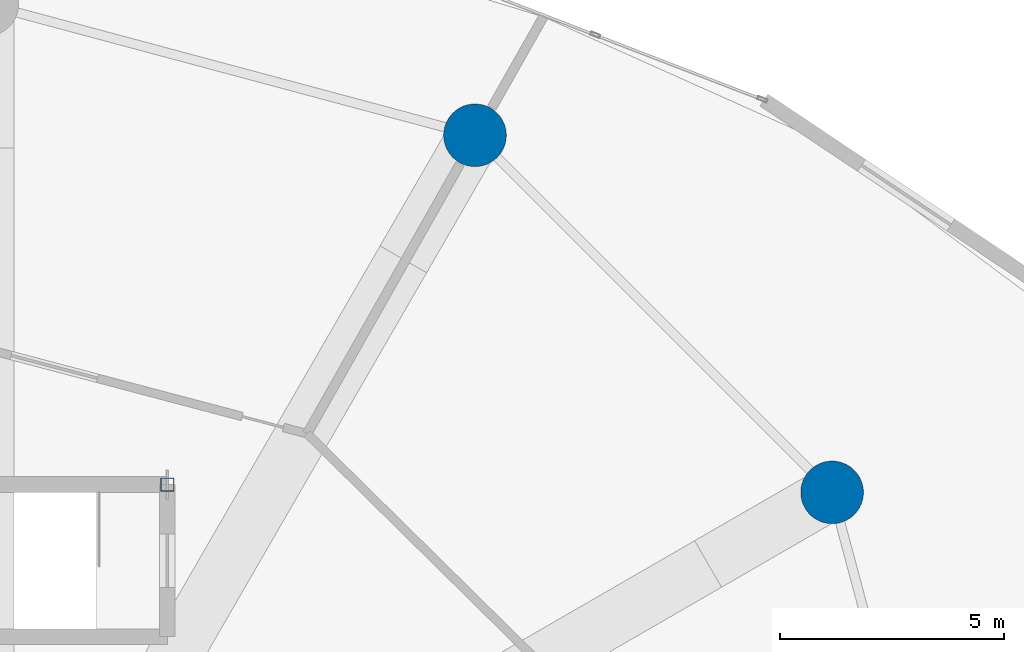
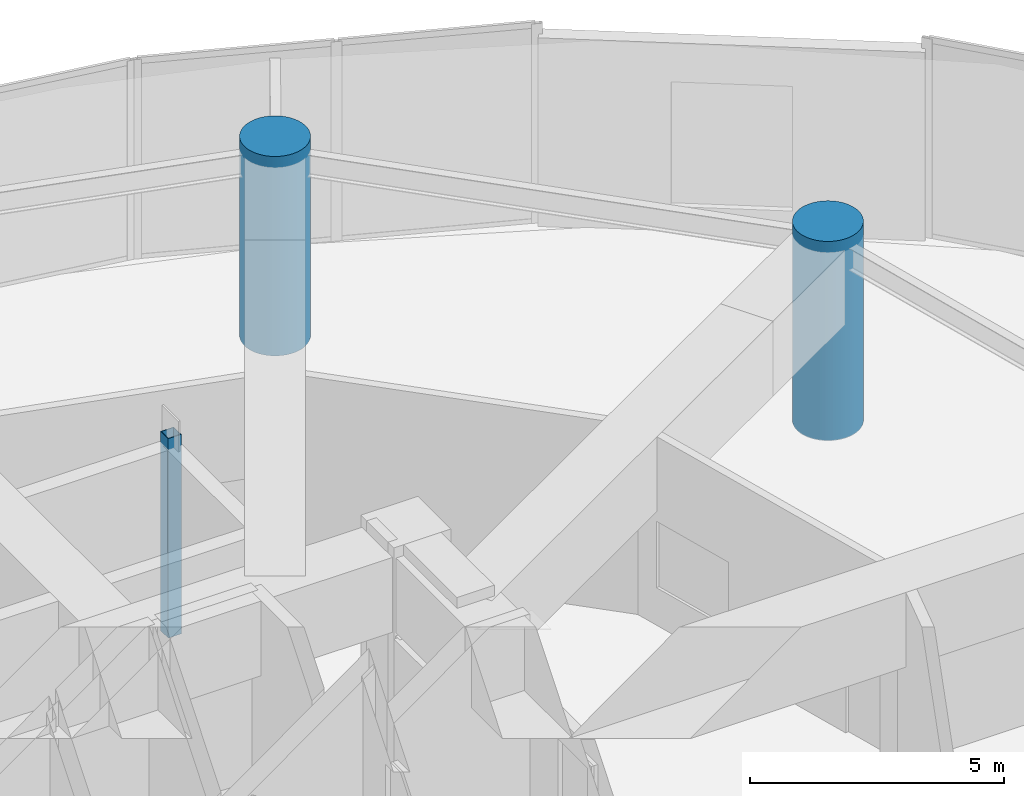
# One storey, part 3 of 27: 3 columns.
"""IFC4 building model written with IfcOpenShell, lengths in metres."""

from ifc_helpers import new_model, si_unit, direction, frame, origin, origin_2d, place, context, subcontext, project, spatial, hollow_rectangle, circle, extrude, material, material_profile, profile_set, type_object, element, save


model = new_model("IFC4")

# Units and contexts
model_context = context("Model", 3, precision=1e-05, world=origin(), true_north=direction((0.0, 1.0)))
body_context = subcontext(model_context, "Body", "Model", "MODEL_VIEW")
ifc_project = project(units=[si_unit("LENGTHUNIT", "METRE"), si_unit("AREAUNIT", "SQUARE_METRE"), si_unit("VOLUMEUNIT", "CUBIC_METRE"), si_unit("PLANEANGLEUNIT", "RADIAN"), si_unit("MASSUNIT", "GRAM", prefix="KILO")], contexts=[model_context])

# Site, building, storey
site_placement = place(None, origin())
site = spatial("IfcSite", under=ifc_project, at=site_placement, CompositionType="ELEMENT")
building_placement = place(site_placement, origin())
building = spatial("IfcBuilding", under=site, at=building_placement, Name="Solvirekh Grand Hotel", CompositionType="ELEMENT")
storey_placement = place(building_placement, frame((0.0, 0.0, 23.60009765625)))
storey = spatial("IfcBuildingStorey", under=building, at=storey_placement, Name="L04", CompositionType="ELEMENT", Elevation=23.60009765625)

# Columns
ifc_material_1 = material(Name="Concrete C60/75", Category="concrete")
ifc_material_profile_1 = material_profile(ifc_material_1, circle(Radius=0.699951171875, at=origin_2d()), Name="RC CIRC D1400")
ifc_profile_set_1 = profile_set([ifc_material_profile_1], Name="Concrete C60/75")
column_type_1 = type_object("IfcColumnType", Name="Col_Base_D1400", PredefinedType="COLUMN", material=ifc_profile_set_1)
for number, where, z_axis, x_axis, name in (
    (1, (18.87890625, 10.89990234375, 0.0), (0.0, 0.0, 1.0), (1.0, 0.0, 0.0), "L04 perimeter column P02"),
    (2, (10.89990234375, 18.87890625, 0.0), (0.0, 0.0, 1.0), (1.0, 0.0, 0.0), "L04 perimeter column P03"),
):
    element("IfcColumn", number, at=place(storey_placement, frame(where, z_axis=z_axis, x_axis=x_axis)), inside=storey, type_object=column_type_1, Name=name, PredefinedType="COLUMN", context=body_context, shape_type="SweptSolid", body=[
        extrude(circle(Radius=0.699951171875, at=origin_2d()), origin(), (0.0, 0.0, 1.0), 4.7998046875),
    ])
ifc_material_2 = material(Name="Steel S355", Category="steel")
ifc_material_profile_2 = material_profile(ifc_material_2, hollow_rectangle(XDim=0.300048828125, YDim=0.300048828125, WallThickness=0.01611328125, at=origin_2d()), Name="SHS 300X300X16")
ifc_profile_set_2 = profile_set([ifc_material_profile_2], Name="Steel S355")
column_type_2 = type_object("IfcColumnType", Name="Col_Pod_SHS300", PredefinedType="COLUMN", material=ifc_profile_set_2)
column_placement = place(storey_placement, frame((4.02490234375, 11.074951171875, 0.0), z_axis=(0.0, 0.0, 1.0), x_axis=(1.0, 0.0, 0.0)))
element("IfcColumn", 3, at=column_placement, inside=storey, type_object=column_type_2, Name="L04 podium stair enclosure post 2", PredefinedType="COLUMN", context=body_context, shape_type="SweptSolid", body=[
    extrude(hollow_rectangle(XDim=0.300048828125, YDim=0.300048828125, WallThickness=0.01611328125, at=origin_2d()), origin(), (0.0, 0.0, 1.0), 4.7998046875),
])

save(model, "model.ifc")
